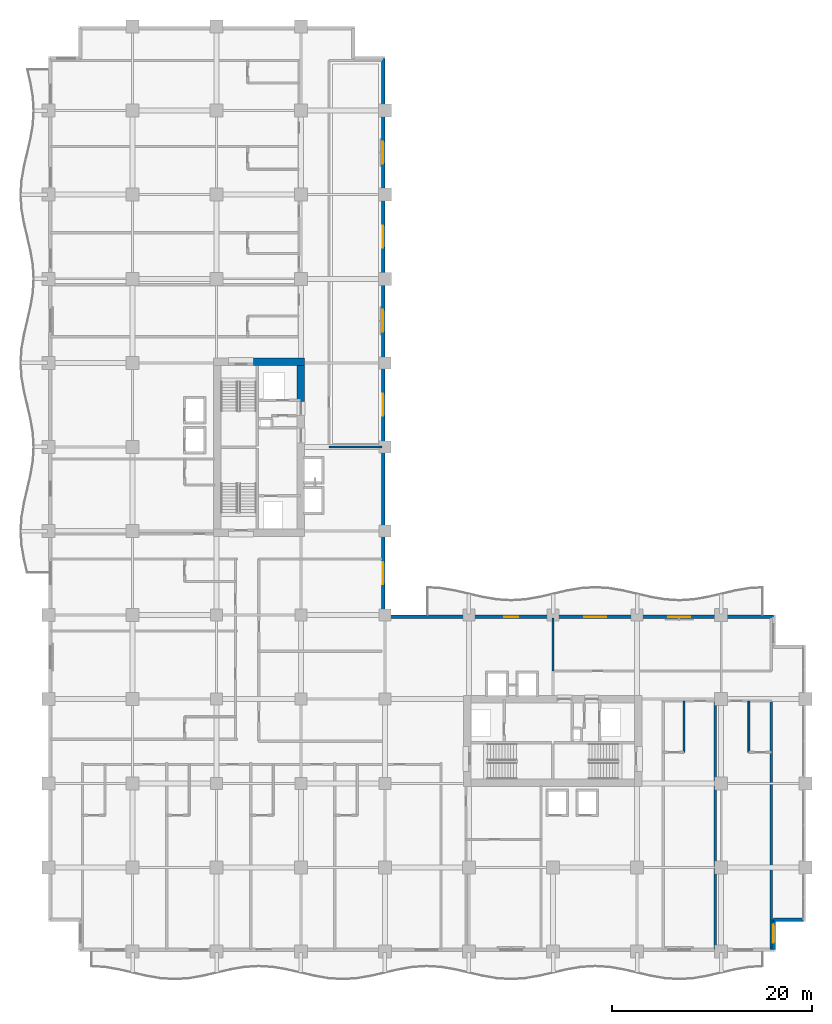
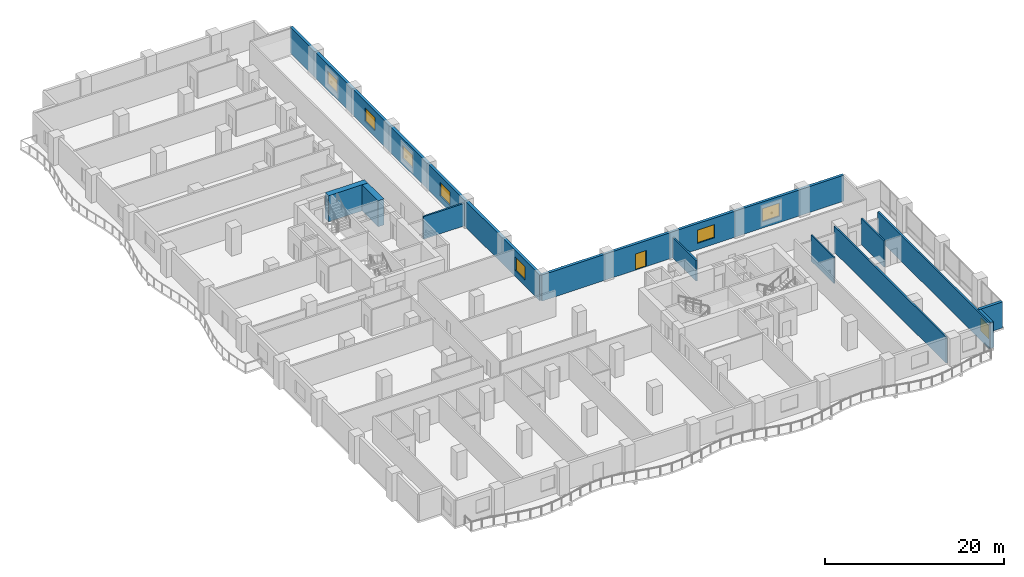
# One storey, part 14 of 24: 12 walls, 8 windows, 1 door, 9 openings.
"""IFC4 building model written with IfcOpenShell, lengths in metres."""

from ifc_helpers import new_model, si_unit, direction, frame, frame_2d, origin, place, context, subcontext, project, spatial, rectangle, extrude, material, layer, layer_set, type_object, element, fill, save


model = new_model("IFC4")

# Units and contexts
model_context = context("Model", 3, precision=1e-05, world=origin(), true_north=direction((0.0, 1.0)))
body_context = subcontext(model_context, "Body", "Model", "MODEL_VIEW")
ifc_project = project(units=[si_unit("LENGTHUNIT", "METRE"), si_unit("AREAUNIT", "SQUARE_METRE"), si_unit("VOLUMEUNIT", "CUBIC_METRE"), si_unit("PLANEANGLEUNIT", "RADIAN"), si_unit("MASSUNIT", "GRAM", prefix="KILO")], contexts=[model_context])

# Site, building, storey
site_placement = place(None, origin())
site = spatial("IfcSite", under=ifc_project, at=site_placement, CompositionType="ELEMENT")
building_placement = place(site_placement, origin())
building = spatial("IfcBuilding", under=site, at=building_placement, Name="Koriwani Terraces Tower", CompositionType="ELEMENT")
storey_placement = place(building_placement, frame((0.0, 0.0, 103.800048828125)))
storey = spatial("IfcBuildingStorey", under=building, at=storey_placement, Name="L24", CompositionType="ELEMENT", Elevation=103.800048828125)

# Walls
ifc_material_1 = material(Name="Concrete C60/75", Category="concrete")
ifc_layer_1 = layer(ifc_material_1, 0.75, Name="Concrete C60/75")
ifc_layer_set_1 = layer_set([ifc_layer_1], Name="Concrete C60/75")
wall_type_1 = type_object("IfcWallType", Name="WALL_CORE_RC_750", PredefinedType="SHEAR", material=ifc_layer_set_1)
wall_1_placement = place(storey_placement, frame((20.5, 58.925048828125, 0.0), z_axis=(0.0, 0.0, 1.0), x_axis=(1.0, 0.0, 0.0)))
element("IfcWall", 1, at=wall_1_placement, inside=storey, type_object=wall_type_1, Name="L24 West Split Core Shear Wall N2", PredefinedType="SHEAR", context=body_context, shape_type="SweptSolid", body=[
    extrude(rectangle(XDim=5.074951171875, YDim=0.75, at=frame_2d((2.53759765625, 0.0))), origin(), (0.0, 0.0, 1.0), 3.550048828125),
])
wall_2_placement = place(storey_placement, frame((25.199951171875, 54.949951171875, 0.0), z_axis=(0.0, 0.0, 1.0), x_axis=(0.0, 1.0, 0.0)))
element("IfcWall", 2, at=wall_2_placement, inside=storey, type_object=wall_type_1, Name="L24 West Split Core Shear Wall E3", PredefinedType="SHEAR", context=body_context, shape_type="SweptSolid", body=[
    extrude(rectangle(XDim=3.60009765625, YDim=0.75, at=frame_2d((1.800048828125, 0.0))), origin(), (0.0, 0.0, 1.0), 3.550048828125),
])
ifc_material_2 = material(Name="Autoclaved Cellular Concrete Blockwork", Category="masonry")
ifc_layer_2 = layer(ifc_material_2, 0.219970703125, Name="Autoclaved Cellular Concrete Blockwork")
ifc_layer_set_2 = layer_set([ifc_layer_2], Name="Autoclaved Cellular Concrete Blockwork")
wall_type_2 = type_object("IfcWallType", Name="WALL_DEMISING_220", PredefinedType="PARTITIONING", material=ifc_layer_set_2)
wall_3_placement = place(storey_placement, frame((28.0, 50.39990234375, 0.0), z_axis=(0.0, 0.0, 1.0), x_axis=(1.0, 0.0, 0.0)))
element("IfcWall", 3, at=wall_3_placement, inside=storey, type_object=wall_type_2, Name="L24 Interior Wall WNEC-S-L24", PredefinedType="PARTITIONING", context=body_context, shape_type="SweptSolid", body=[
    extrude(rectangle(XDim=5.300048828125, YDim=0.219970703125, at=frame_2d((2.64990234375, 0.0))), origin(), (0.0, 0.0, 1.0), 3.0869140625),
])
for number, where, z_axis, x_axis, name in (
    (4, (66.60009765625, 0.199951171875, 0.0), (0.0, 0.0, 1.0), (0.0, 1.0, 0.0), "L24 Interior Wall WDEM-L24-SE-1"),
    (5, (72.199951171875, 0.199951171875, 0.0), (0.0, 0.0, 1.0), (0.0, 1.0, 0.0), "L24 Interior Wall WDEME-L24-SE"),
):
    element("IfcWall", number, at=place(storey_placement, frame(where, z_axis=z_axis, x_axis=x_axis)), inside=storey, type_object=wall_type_2, Name=name, PredefinedType="PARTITIONING", context=body_context, shape_type="SweptSolid", body=[
        extrude(rectangle(XDim=24.97998046875, YDim=0.219970703125, at=frame_2d((12.489990234375, 0.0))), origin(), (0.0, 0.0, 1.0), 3.550048828125),
    ])
wall_4_placement = place(storey_placement, frame((50.39990234375, 28.0, 0.0), z_axis=(0.0, 0.0, 1.0), x_axis=(0.0, 1.0, 0.0)))
element("IfcWall", 6, at=wall_4_placement, inside=storey, type_object=wall_type_2, Name="L24 Interior Wall WSEC-W-L24", PredefinedType="PARTITIONING", context=body_context, shape_type="SweptSolid", body=[
    extrude(rectangle(XDim=5.300048828125, YDim=0.219970703125, at=frame_2d((2.64990234375, 0.0))), origin(), (0.0, 0.0, 1.0), 2.800048828125),
])

# Wall, openings, windows
ifc_material_3 = material(Name="Concrete C50/60", Category="concrete")
ifc_layer_3 = layer(ifc_material_3, 0.35009765625, Name="Concrete C50/60")
ifc_layer_set_3 = layer_set([ifc_layer_3], Name="Concrete C50/60")
wall_type_3 = type_object("IfcWallType", Name="WALL_EXT_BRUTALIST_350", PredefinedType="STANDARD", material=ifc_layer_set_3)
wall_5_placement = place(storey_placement, frame((33.425048828125, 89.22509765625, 0.0), z_axis=(0.0, 0.0, 1.0), x_axis=(0.0, -1.0, 0.0)))
wall_5 = element("IfcWall", 7, at=wall_5_placement, inside=storey, type_object=wall_type_3, Name="L24 Fair-Faced Brutalist Exterior Wall (NW_IN)", PredefinedType="STANDARD", context=body_context, shape_type="SweptSolid", body=[
    extrude(rectangle(XDim=55.800048828125, YDim=0.35009765625, at=frame_2d((27.89990234375, 0.0))), origin(), (0.0, 0.0, 1.0), 3.550048828125),
])
opening_1_placement = place(wall_5_placement, frame((50.324951171875, 0.0, 0.85009765625)))
opening_1 = element("IfcOpeningElement", 8, at=opening_1_placement, cuts=wall_5, Name="Opening W-01", PredefinedType="OPENING", context=body_context, shape_type="SweptSolid", body=[
    extrude(rectangle(XDim=2.199951171875, YDim=1.800048828125, at=frame_2d((1.10009765625, 0.89990234375))), frame((0.0, 0.18505859375, 0.0), z_axis=(0.0, -1.0, 0.0), x_axis=(1.0, 0.0, 0.0)), (0.0, 0.0, 1.0), 0.3701171875),
])
opening_2_placement = place(wall_5_placement, frame((33.52490234375, 0.0, 0.85009765625)))
opening_2 = element("IfcOpeningElement", 9, at=opening_2_placement, cuts=wall_5, Name="Opening W-01", PredefinedType="OPENING", context=body_context, shape_type="SweptSolid", body=[
    extrude(rectangle(XDim=2.199951171875, YDim=1.800048828125, at=frame_2d((1.10009765625, 0.89990234375))), frame((0.0, 0.18505859375, 0.0), z_axis=(0.0, -1.0, 0.0), x_axis=(1.0, 0.0, 0.0)), (0.0, 0.0, 1.0), 0.3701171875),
])
opening_3_placement = place(wall_5_placement, frame((25.125, 0.0, 0.85009765625)))
opening_3 = element("IfcOpeningElement", 10, at=opening_3_placement, cuts=wall_5, Name="Opening W-01", PredefinedType="OPENING", context=body_context, shape_type="SweptSolid", body=[
    extrude(rectangle(XDim=2.199951171875, YDim=1.800048828125, at=frame_2d((1.10009765625, 0.89990234375))), frame((0.0, 0.18505859375, 0.0), z_axis=(0.0, -1.0, 0.0), x_axis=(1.0, 0.0, 0.0)), (0.0, 0.0, 1.0), 0.3701171875),
])
opening_4_placement = place(wall_5_placement, frame((16.72509765625, 0.0, 0.85009765625)))
opening_4 = element("IfcOpeningElement", 11, at=opening_4_placement, cuts=wall_5, Name="Opening W-01", PredefinedType="OPENING", context=body_context, shape_type="SweptSolid", body=[
    extrude(rectangle(XDim=2.199951171875, YDim=1.800048828125, at=frame_2d((1.10009765625, 0.89990234375))), frame((0.0, 0.18505859375, 0.0), z_axis=(0.0, -1.0, 0.0), x_axis=(1.0, 0.0, 0.0)), (0.0, 0.0, 1.0), 0.3701171875),
])
opening_5_placement = place(wall_5_placement, frame((8.324951171875, 0.0, 0.85009765625)))
opening_5 = element("IfcOpeningElement", 12, at=opening_5_placement, cuts=wall_5, Name="Opening W-01", PredefinedType="OPENING", context=body_context, shape_type="SweptSolid", body=[
    extrude(rectangle(XDim=2.199951171875, YDim=1.800048828125, at=frame_2d((1.10009765625, 0.89990234375))), frame((0.0, 0.18505859375, 0.0), z_axis=(0.0, -1.0, 0.0), x_axis=(1.0, 0.0, 0.0)), (0.0, 0.0, 1.0), 0.3701171875),
])
ifc_material_4 = material(Name="Tempered Laminated Low-E Glass", Category="glass")
window_type_1 = type_object("IfcWindowType", Name="WIN_HOTEL_STD_2200X1800", PartitioningType="DOUBLE_PANEL_VERTICAL", PredefinedType="WINDOW", material=ifc_material_4)
window_1_placement = place(opening_1_placement, origin())
window_1 = element("IfcWindow", 13, at=window_1_placement, inside=storey, type_object=window_type_1, Name="L24 Exterior Window (NW_IN-2)", OverallHeight=1.800048828125, OverallWidth=2.199951171875, PartitioningType="SINGLE_PANEL", PredefinedType="WINDOW", context=body_context, shape_type="SweptSolid", body=[
    extrude(rectangle(XDim=2.199951171875, YDim=1.800048828125, at=frame_2d((1.10009765625, 0.89990234375))), frame((0.0, 0.030029296875, 0.0), z_axis=(0.0, -1.0, 0.0), x_axis=(1.0, 0.0, 0.0)), (0.0, 0.0, 1.0), 0.06005859375),
])
fill(opening_1, window_1)
window_2_placement = place(opening_2_placement, origin())
window_2 = element("IfcWindow", 14, at=window_2_placement, inside=storey, type_object=window_type_1, Name="L24 Exterior Window (NW_IN-8)", OverallHeight=1.800048828125, OverallWidth=2.199951171875, PartitioningType="SINGLE_PANEL", PredefinedType="WINDOW", context=body_context, shape_type="SweptSolid", body=[
    extrude(rectangle(XDim=2.199951171875, YDim=1.800048828125, at=frame_2d((1.10009765625, 0.89990234375))), frame((0.0, 0.030029296875, 0.0), z_axis=(0.0, -1.0, 0.0), x_axis=(1.0, 0.0, 0.0)), (0.0, 0.0, 1.0), 0.06005859375),
])
fill(opening_2, window_2)
window_3_placement = place(opening_3_placement, origin())
window_3 = element("IfcWindow", 15, at=window_3_placement, inside=storey, type_object=window_type_1, Name="L24 Exterior Window (NW_IN-11)", OverallHeight=1.800048828125, OverallWidth=2.199951171875, PartitioningType="SINGLE_PANEL", PredefinedType="WINDOW", context=body_context, shape_type="SweptSolid", body=[
    extrude(rectangle(XDim=2.199951171875, YDim=1.800048828125, at=frame_2d((1.10009765625, 0.89990234375))), frame((0.0, 0.030029296875, 0.0), z_axis=(0.0, -1.0, 0.0), x_axis=(1.0, 0.0, 0.0)), (0.0, 0.0, 1.0), 0.06005859375),
])
fill(opening_3, window_3)
window_4_placement = place(opening_4_placement, origin())
window_4 = element("IfcWindow", 16, at=window_4_placement, inside=storey, type_object=window_type_1, Name="L24 Exterior Window (NW_IN-14)", OverallHeight=1.800048828125, OverallWidth=2.199951171875, PartitioningType="SINGLE_PANEL", PredefinedType="WINDOW", context=body_context, shape_type="SweptSolid", body=[
    extrude(rectangle(XDim=2.199951171875, YDim=1.800048828125, at=frame_2d((1.10009765625, 0.89990234375))), frame((0.0, 0.030029296875, 0.0), z_axis=(0.0, -1.0, 0.0), x_axis=(1.0, 0.0, 0.0)), (0.0, 0.0, 1.0), 0.06005859375),
])
fill(opening_4, window_4)
window_5_placement = place(opening_5_placement, origin())
window_5 = element("IfcWindow", 17, at=window_5_placement, inside=storey, type_object=window_type_1, Name="L24 Exterior Window (NW_IN-17)", OverallHeight=1.800048828125, OverallWidth=2.199951171875, PartitioningType="SINGLE_PANEL", PredefinedType="WINDOW", context=body_context, shape_type="SweptSolid", body=[
    extrude(rectangle(XDim=2.199951171875, YDim=1.800048828125, at=frame_2d((1.10009765625, 0.89990234375))), frame((0.0, 0.030029296875, 0.0), z_axis=(0.0, -1.0, 0.0), x_axis=(1.0, 0.0, 0.0)), (0.0, 0.0, 1.0), 0.06005859375),
])
fill(opening_5, window_5)

# Wall, openings, door, windows
wall_6_placement = place(storey_placement, frame((33.425048828125, 33.425048828125, 0.0), z_axis=(0.0, 0.0, 1.0), x_axis=(1.0, 0.0, 0.0)))
wall_6 = element("IfcWall", 18, at=wall_6_placement, inside=storey, type_object=wall_type_3, Name="L24 Fair-Faced Brutalist Exterior Wall (NE)", PredefinedType="STANDARD", context=body_context, shape_type="SweptSolid", body=[
    extrude(rectangle(XDim=39.0, YDim=0.35009765625, at=frame_2d((19.5, 0.0))), origin(), (0.0, 0.0, 1.0), 3.550048828125),
])
opening_6_placement = place(wall_6_placement, frame((12.074951171875, 0.0, 0.0)))
opening_6 = element("IfcOpeningElement", 19, at=opening_6_placement, cuts=wall_6, Name="Opening D-09", PredefinedType="OPENING", context=body_context, shape_type="SweptSolid", body=[
    extrude(rectangle(XDim=1.39990234375, YDim=2.199951171875, at=frame_2d((0.699951171875, 1.10009765625))), frame((0.0, 0.18505859375, 0.0), z_axis=(0.0, -1.0, 0.0), x_axis=(1.0, 0.0, 0.0)), (0.0, 0.0, 1.0), 0.3701171875),
])
opening_7_placement = place(wall_6_placement, frame((20.074951171875, 0.0, 0.85009765625)))
opening_7 = element("IfcOpeningElement", 20, at=opening_7_placement, cuts=wall_6, Name="Opening W-01", PredefinedType="OPENING", context=body_context, shape_type="SweptSolid", body=[
    extrude(rectangle(XDim=2.199951171875, YDim=1.800048828125, at=frame_2d((1.10009765625, 0.89990234375))), frame((0.0, 0.18505859375, 0.0), z_axis=(0.0, -1.0, 0.0), x_axis=(1.0, 0.0, 0.0)), (0.0, 0.0, 1.0), 0.3701171875),
])
opening_8_placement = place(wall_6_placement, frame((28.47509765625, 0.0, 0.85009765625)))
opening_8 = element("IfcOpeningElement", 21, at=opening_8_placement, cuts=wall_6, Name="Opening W-01", PredefinedType="OPENING", context=body_context, shape_type="SweptSolid", body=[
    extrude(rectangle(XDim=2.199951171875, YDim=1.800048828125, at=frame_2d((1.10009765625, 0.89990234375))), frame((0.0, 0.18505859375, 0.0), z_axis=(0.0, -1.0, 0.0), x_axis=(1.0, 0.0, 0.0)), (0.0, 0.0, 1.0), 0.3701171875),
])
ifc_material_5 = material(Name="Anodised Bronze Aluminium", Category="aluminium")
door_type = type_object("IfcDoorType", Name="DOOR_BALCONY_GLAZED_1400X2200", OperationType="NOTDEFINED", PredefinedType="DOOR", material=ifc_material_5)
door_placement = place(opening_6_placement, origin())
door = element("IfcDoor", 22, at=door_placement, inside=storey, type_object=door_type, Name="L24 Inner Court Balcony Glazed Door", OperationType="SINGLE_SWING_LEFT", OverallHeight=2.199951171875, OverallWidth=1.39990234375, PredefinedType="DOOR", context=body_context, shape_type="SweptSolid", body=[
    extrude(rectangle(XDim=1.39990234375, YDim=2.199951171875, at=frame_2d((0.699951171875, 1.10009765625))), frame((0.0, 0.02490234375, 0.0), z_axis=(0.0, -1.0, 0.0), x_axis=(1.0, 0.0, 0.0)), (0.0, 0.0, 1.0), 0.050048828125),
])
fill(opening_6, door)
window_6_placement = place(opening_7_placement, origin())
window_6 = element("IfcWindow", 23, at=window_6_placement, inside=storey, type_object=window_type_1, Name="L24 Exterior Window (NE-8)", OverallHeight=1.800048828125, OverallWidth=2.199951171875, PartitioningType="SINGLE_PANEL", PredefinedType="WINDOW", context=body_context, shape_type="SweptSolid", body=[
    extrude(rectangle(XDim=2.199951171875, YDim=1.800048828125, at=frame_2d((1.10009765625, 0.89990234375))), frame((0.0, 0.030029296875, 0.0), z_axis=(0.0, -1.0, 0.0), x_axis=(1.0, 0.0, 0.0)), (0.0, 0.0, 1.0), 0.06005859375),
])
fill(opening_7, window_6)
window_7_placement = place(opening_8_placement, origin())
window_7 = element("IfcWindow", 24, at=window_7_placement, inside=storey, type_object=window_type_1, Name="L24 Exterior Window (NE-11)", OverallHeight=1.800048828125, OverallWidth=2.199951171875, PartitioningType="SINGLE_PANEL", PredefinedType="WINDOW", context=body_context, shape_type="SweptSolid", body=[
    extrude(rectangle(XDim=2.199951171875, YDim=1.800048828125, at=frame_2d((1.10009765625, 0.89990234375))), frame((0.0, 0.030029296875, 0.0), z_axis=(0.0, -1.0, 0.0), x_axis=(1.0, 0.0, 0.0)), (0.0, 0.0, 1.0), 0.06005859375),
])
fill(opening_8, window_7)

# Wall
wall_7_placement = place(storey_placement, frame((75.425048828125, 3.175048828125, 0.0), z_axis=(0.0, 0.0, 1.0), x_axis=(-1.0, 0.0, 0.0)))
element("IfcWall", 25, at=wall_7_placement, inside=storey, type_object=wall_type_3, Name="L24 Fair-Faced Brutalist Exterior Wall (N13)", PredefinedType="STANDARD", context=body_context, shape_type="SweptSolid", body=[
    extrude(rectangle(XDim=3.0, YDim=0.35009765625, at=frame_2d((1.5, 0.0))), origin(), (0.0, 0.0, 1.0), 3.550048828125),
])

# Wall, opening, window
wall_8_placement = place(storey_placement, frame((72.425048828125, 3.175048828125, 0.0), z_axis=(0.0, 0.0, 1.0), x_axis=(0.0, -1.0, 0.0)))
wall_8 = element("IfcWall", 26, at=wall_8_placement, inside=storey, type_object=wall_type_3, Name="L24 Fair-Faced Brutalist Exterior Wall (N14)", PredefinedType="STANDARD", context=body_context, shape_type="SweptSolid", body=[
    extrude(rectangle(XDim=3.0, YDim=0.35009765625, at=frame_2d((1.5, 0.0))), origin(), (0.0, 0.0, 1.0), 3.550048828125),
])
opening_9_placement = place(wall_8_placement, frame((0.5224609375, 0.0, 0.85009765625)))
opening_9 = element("IfcOpeningElement", 27, at=opening_9_placement, cuts=wall_8, Name="Opening W-04", PredefinedType="OPENING", context=body_context, shape_type="SweptSolid", body=[
    extrude(rectangle(XDim=1.800048828125, YDim=1.800048828125, at=frame_2d((0.89990234375, 0.89990234375))), frame((0.0, 0.18505859375, 0.0), z_axis=(0.0, -1.0, 0.0), x_axis=(1.0, 0.0, 0.0)), (0.0, 0.0, 1.0), 0.3701171875),
])
window_type_2 = type_object("IfcWindowType", Name="WIN_RES_BED_1800X1800", PartitioningType="DOUBLE_PANEL_VERTICAL", PredefinedType="WINDOW", material=ifc_material_4)
window_8_placement = place(opening_9_placement, origin())
window_8 = element("IfcWindow", 28, at=window_8_placement, inside=storey, type_object=window_type_2, Name="L24 Exterior Window (N14-R54)", OverallHeight=1.800048828125, OverallWidth=1.800048828125, PartitioningType="SINGLE_PANEL", PredefinedType="WINDOW", context=body_context, shape_type="SweptSolid", body=[
    extrude(rectangle(XDim=1.800048828125, YDim=1.800048828125, at=frame_2d((0.89990234375, 0.89990234375))), frame((0.0, 0.030029296875, 0.0), z_axis=(0.0, -1.0, 0.0), x_axis=(1.0, 0.0, 0.0)), (0.0, 0.0, 1.0), 0.06005859375),
])
fill(opening_9, window_8)

# Walls
ifc_material_6 = material(Name="Fire-Rated Acoustic Gypsum Partition", Category="masonry")
ifc_layer_4 = layer(ifc_material_6, 0.179931640625, Name="Fire-Rated Acoustic Gypsum Partition")
ifc_layer_set_4 = layer_set([ifc_layer_4], Name="Fire-Rated Acoustic Gypsum Partition")
wall_type_4 = type_object("IfcWallType", Name="WALL_PLUMBING_180", PredefinedType="PLUMBINGWALL", material=ifc_layer_set_4)
for number, where, z_axis, x_axis, name in (
    (29, (63.47998046875, 19.89990234375, 0.0), (0.0, 0.0, 1.0), (0.0, 1.0, 0.0), "L24 Interior Wall WBTH2-L24-SE-0"),
    (30, (69.9599609375, 19.89990234375, 0.0), (0.0, 0.0, 1.0), (0.0, 1.0, 0.0), "L24 Interior Wall WBTH2-L24-SE-1"),
):
    element("IfcWall", number, at=place(storey_placement, frame(where, z_axis=z_axis, x_axis=x_axis)), inside=storey, type_object=wall_type_4, Name=name, PredefinedType="PLUMBINGWALL", context=body_context, shape_type="SweptSolid", body=[
        extrude(rectangle(XDim=5.10009765625, YDim=0.179931640625, at=frame_2d((2.550048828125, 0.0))), origin(), (0.0, 0.0, 1.0), 3.550048828125),
    ])

save(model, "model.ifc")
